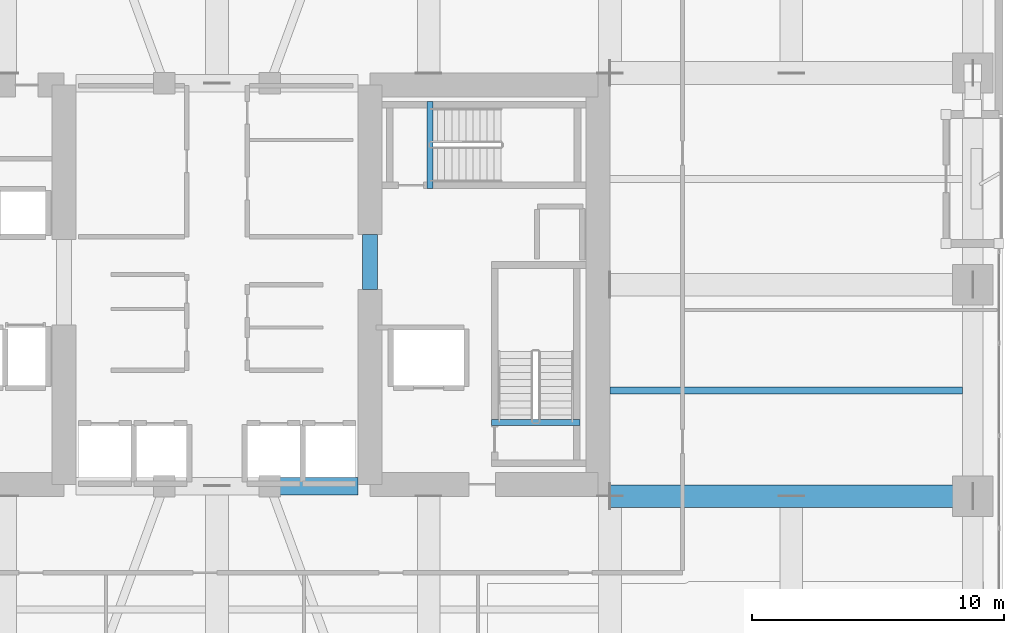
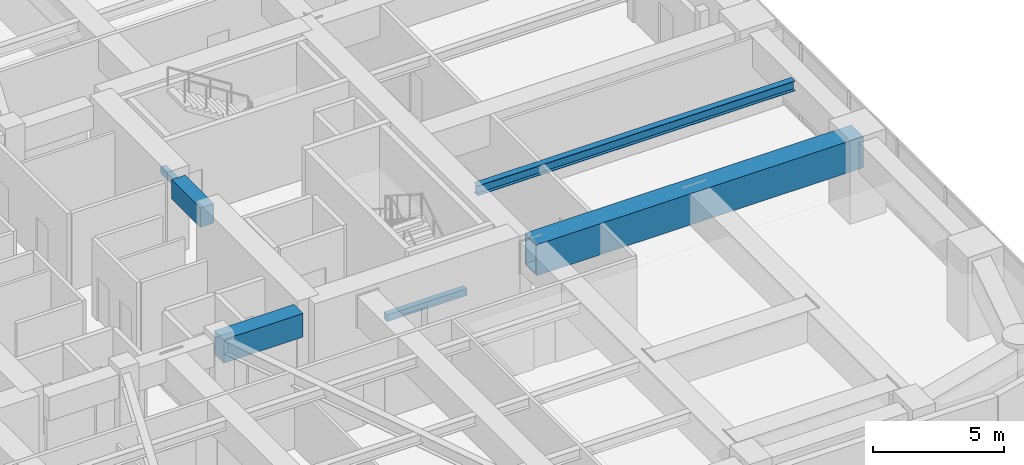
# One storey, part 7 of 28: 6 beams.
"""IFC4 building model written with IfcOpenShell, lengths in metres."""

from ifc_helpers import new_model, si_unit, direction, frame, origin, origin_2d, place, context, subcontext, project, spatial, rectangle, hollow_rectangle, i_section, extrude, material, material_profile, profile_set, type_object, element, save


model = new_model("IFC4")

# Units and contexts
model_context = context("Model", 3, precision=1e-05, world=origin(), true_north=direction((0.0, 1.0)))
body_context = subcontext(model_context, "Body", "Model", "MODEL_VIEW")
ifc_project = project(units=[si_unit("LENGTHUNIT", "METRE"), si_unit("AREAUNIT", "SQUARE_METRE"), si_unit("VOLUMEUNIT", "CUBIC_METRE"), si_unit("PLANEANGLEUNIT", "RADIAN"), si_unit("MASSUNIT", "GRAM", prefix="KILO")], contexts=[model_context])

# Site, building, storey
site_placement = place(None, origin())
site = spatial("IfcSite", under=ifc_project, at=site_placement, CompositionType="ELEMENT")
building_placement = place(site_placement, origin())
building = spatial("IfcBuilding", under=site, at=building_placement, Name="Kiyonajd Concourse Tower", CompositionType="ELEMENT")
storey_placement = place(building_placement, frame((0.0, 0.0, 76.800048828125)))
storey = spatial("IfcBuildingStorey", under=building, at=storey_placement, Name="L20", CompositionType="ELEMENT", Elevation=76.800048828125)

# Beams
ifc_material_1 = material(Name="Concrete C70/85", Category="concrete")
ifc_material_profile_1 = material_profile(ifc_material_1, rectangle(XDim=0.699951171875, YDim=1.10009765625, at=origin_2d()), Name="RCBM-700x1100")
ifc_profile_set_1 = profile_set([ifc_material_profile_1], Name="Concrete C70/85")
beam_type_1 = type_object("IfcBeamType", Name="BM-COUP-1100", PredefinedType="LINTEL", material=ifc_profile_set_1)
beam_1_placement = place(storey_placement, frame((50.10009765625, 28.0, 3.050048828125), z_axis=(1.0, 0.0, 0.0), x_axis=(0.0, 1.0, 0.0)))
element("IfcBeam", 1, at=beam_1_placement, inside=storey, type_object=beam_type_1, Name="L20 Core Coupling Beam S3", PredefinedType="LINTEL", context=body_context, shape_type="SweptSolid", body=[
    extrude(rectangle(XDim=0.699951171875, YDim=1.10009765625, at=origin_2d()), origin(), (0.0, 0.0, 1.0), 3.5),
])
ifc_material_2 = material(Name="Concrete C60/75", Category="concrete")
ifc_material_profile_2 = material_profile(ifc_material_2, rectangle(XDim=0.60009765625, YDim=0.89990234375, at=origin_2d()), Name="RCBM-600x900")
ifc_profile_set_2 = profile_set([ifc_material_profile_2], Name="Concrete C60/75")
beam_type_2 = type_object("IfcBeamType", Name="BM-COUP-900", PredefinedType="LINTEL", material=ifc_profile_set_2)
beam_2_placement = place(storey_placement, frame((54.074951171875, 35.800048828125, 3.050048828125), z_axis=(0.0, 1.0, 0.0), x_axis=(-1.0, 0.0, 0.0)))
element("IfcBeam", 2, at=beam_2_placement, inside=storey, type_object=beam_type_2, Name="L20 East Core Throat Coupling Lintel", PredefinedType="LINTEL", context=body_context, shape_type="SweptSolid", body=[
    extrude(rectangle(XDim=0.60009765625, YDim=0.89990234375, at=origin_2d()), origin(), (0.0, 0.0, 1.0), 2.199951171875),
])
ifc_material_3 = material(Name="Steel ASTM A992 Grade 50", Category="steel")
ifc_material_profile_3 = material_profile(ifc_material_3, i_section(OverallWidth=0.280029296875, OverallDepth=0.462890625, WebThickness=0.0107421875, FlangeThickness=0.017333984375, at=origin_2d()), Name="W460X113")
ifc_profile_set_3 = profile_set([ifc_material_profile_3], Name="Steel ASTM A992 Grade 50")
beam_type_3 = type_object("IfcBeamType", Name="BM-JST-460A", PredefinedType="JOIST", material=ifc_profile_set_3)
beam_3_placement = place(storey_placement, frame((63.60009765625, 31.800048828125, 3.368408203125), z_axis=(1.0, 0.0, 0.0), x_axis=(0.0, 1.0, 0.0)))
element("IfcBeam", 3, at=beam_3_placement, inside=storey, type_object=beam_type_3, Name="L20 East Secondary Floor Joist", PredefinedType="JOIST", context=body_context, shape_type="SweptSolid", body=[
    extrude(i_section(OverallWidth=0.280029296875, OverallDepth=0.462890625, WebThickness=0.0107421875, FlangeThickness=0.017333984375, at=origin_2d()), origin(), (0.0, 0.0, 1.0), 14.0),
])
ifc_material_4 = material(Name="Concrete C50/60", Category="concrete")
ifc_material_profile_4 = material_profile(ifc_material_4, rectangle(XDim=0.239990234375, YDim=0.320068359375, at=origin_2d()), Name="RCBM-240x320")
ifc_profile_set_4 = profile_set([ifc_material_profile_4], Name="Concrete C50/60")
beam_type_4 = type_object("IfcBeamType", Name="BM-LNT-250", PredefinedType="LINTEL", material=ifc_profile_set_4)
beam_4_placement = place(storey_placement, frame((58.889892578125, 30.530029296875, -0.16015625), z_axis=(1.0, 0.0, 0.0), x_axis=(0.0, 1.0, 0.0)))
element("IfcBeam", 4, at=beam_4_placement, inside=storey, type_object=beam_type_4, Name="L20 Stair ST2 Threshold Support Beam", PredefinedType="LINTEL", context=body_context, shape_type="SweptSolid", body=[
    extrude(rectangle(XDim=0.239990234375, YDim=0.320068359375, at=origin_2d()), origin(), (0.0, 0.0, 1.0), 3.52001953125),
])
beam_5_placement = place(storey_placement, frame((56.4599609375, 39.820068359375, -0.16015625), z_axis=(0.0, 1.0, 0.0), x_axis=(-1.0, 0.0, 0.0)))
element("IfcBeam", 5, at=beam_5_placement, inside=storey, type_object=beam_type_4, Name="L20 Stair ST3 Threshold Support Beam", PredefinedType="LINTEL", context=body_context, shape_type="SweptSolid", body=[
    extrude(rectangle(XDim=0.239990234375, YDim=0.320068359375, at=origin_2d()), origin(), (0.0, 0.0, 1.0), 3.4599609375),
])
ifc_material_5 = material(Name="Steel ASTM A572 Grade 50", Category="steel")
ifc_material_profile_5 = material_profile(ifc_material_5, hollow_rectangle(XDim=0.89990234375, YDim=1.449951171875, WallThickness=0.074951171875, at=origin_2d()), Name="BOX-1450x900x75")
ifc_profile_set_5 = profile_set([ifc_material_profile_5], Name="Steel ASTM A572 Grade 50")
beam_type_5 = type_object("IfcBeamType", Name="BM-XFER-1800", PredefinedType="BEAM", material=ifc_profile_set_5)
beam_6_placement = place(storey_placement, frame((63.60009765625, 27.60009765625, 2.875), z_axis=(1.0, 0.0, 0.0), x_axis=(0.0, 1.0, 0.0)))
element("IfcBeam", 6, at=beam_6_placement, inside=storey, type_object=beam_type_5, Name="L20 East Lease Girder", PredefinedType="BEAM", context=body_context, shape_type="SweptSolid", body=[
    extrude(hollow_rectangle(XDim=0.89990234375, YDim=1.449951171875, WallThickness=0.074951171875, at=origin_2d()), origin(), (0.0, 0.0, 1.0), 14.39990234375),
])

save(model, "model.ifc")
